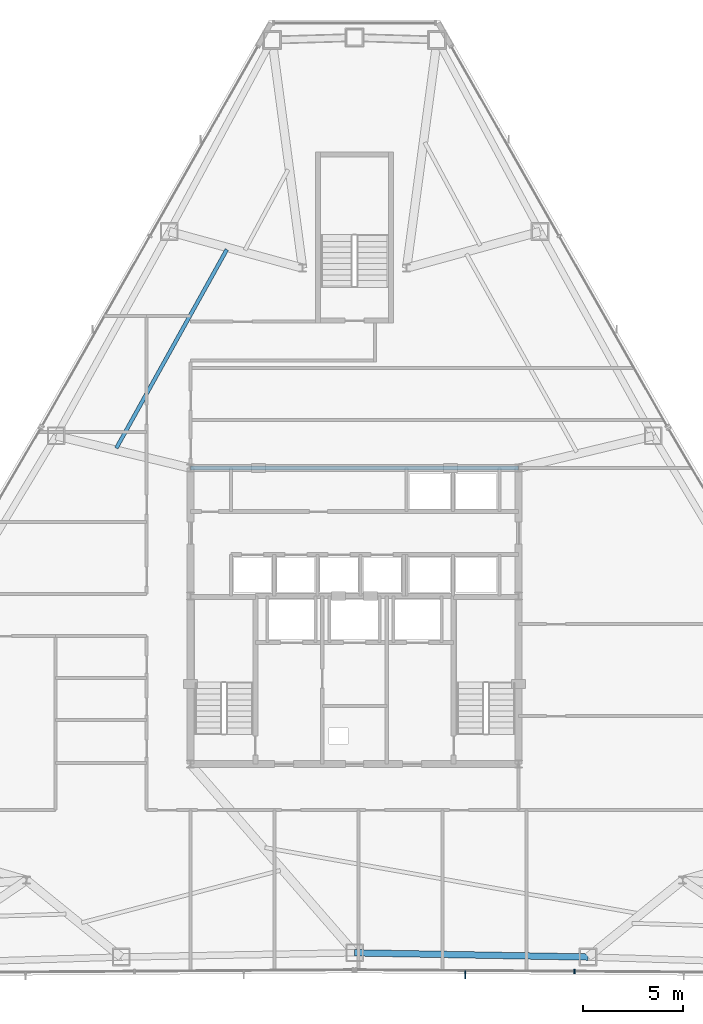
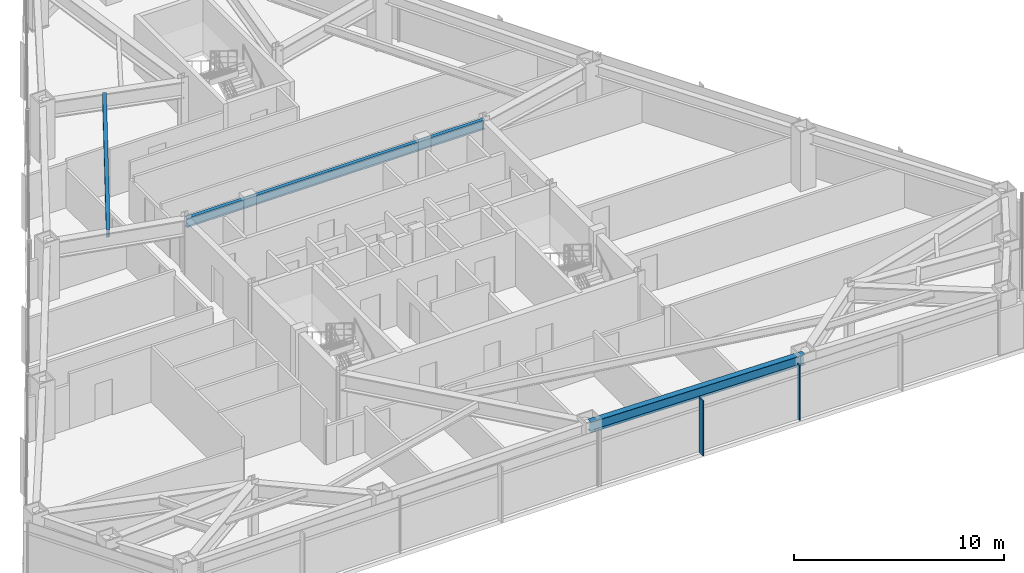
# One storey, part 5 of 13: 3 beams, 2 members, 1 element without a shape of its own.
"""IFC4 building model written with IfcOpenShell, lengths in metres."""

from ifc_helpers import new_model, si_unit, direction, frame, origin, origin_2d, place, context, subcontext, project, spatial, rectangle, i_section, extrude, source, transform, mapped, material, layer, layer_set, material_profile, profile_set, type_object, type_shapes, element, aggregate, save


model = new_model("IFC4")

# Units and contexts
model_context = context("Model", 3, precision=1e-05, world=origin(), true_north=direction((0.0, 1.0)))
body_context = subcontext(model_context, "Body", "Model", "MODEL_VIEW")
ifc_project = project(units=[si_unit("LENGTHUNIT", "METRE"), si_unit("AREAUNIT", "SQUARE_METRE"), si_unit("VOLUMEUNIT", "CUBIC_METRE"), si_unit("PLANEANGLEUNIT", "RADIAN"), si_unit("MASSUNIT", "GRAM", prefix="KILO")], contexts=[model_context])

# Site, building, storey
site_placement = place(None, origin())
site = spatial("IfcSite", under=ifc_project, at=site_placement, CompositionType="ELEMENT")
building_placement = place(site_placement, origin())
building = spatial("IfcBuilding", under=site, at=building_placement, Name="Varakhsha Concourse Tower", CompositionType="ELEMENT")
storey_placement = place(building_placement, frame((0.0, 0.0, 133.25)))
storey = spatial("IfcBuildingStorey", under=building, at=storey_placement, Name="L38", CompositionType="ELEMENT", Elevation=133.25)

# Beams
ifc_material_1 = material(Name="Structural Steel ASTM A992 Grade 50", Category="steel")
ifc_material_profile_1 = material_profile(ifc_material_1, i_section(OverallWidth=0.19091796875, OverallDepth=0.45703125, WebThickness=0.009033203125, FlangeThickness=0.013916015625, at=origin_2d()), Name="W18X50")
ifc_profile_set_1 = profile_set([ifc_material_profile_1], Name="Structural Steel ASTM A992 Grade 50")
beam_type_1 = type_object("IfcBeamType", Name="BM-JST-W18X50", PredefinedType="JOIST", material=ifc_profile_set_1)
beam_1_placement = place(storey_placement, frame((33.611572265625, 42.126708984375, 2.9814453125), z_axis=(-0.486139230304, -0.873881369958, 0.0), x_axis=(0.873881369958, -0.486139230304, 0.0)))
element("IfcBeam", 1, at=beam_1_placement, inside=storey, type_object=beam_type_1, Name="BM-TJST-L38-04", PredefinedType="JOIST", context=body_context, shape_type="SweptSolid", body=[
    extrude(i_section(OverallWidth=0.19091796875, OverallDepth=0.45703125, WebThickness=0.009033203125, FlangeThickness=0.013916015625, at=origin_2d()), origin(), (0.0, 0.0, 1.0), 11.35888671875),
])
ifc_material_profile_2 = material_profile(ifc_material_1, i_section(OverallWidth=0.2109375, OverallDepth=0.5390625, WebThickness=0.011962890625, FlangeThickness=0.01904296875, at=origin_2d()), Name="W21X73")
ifc_profile_set_2 = profile_set([ifc_material_profile_2], Name="Structural Steel ASTM A992 Grade 50")
beam_type_2 = type_object("IfcBeamType", Name="BM-RAD-W21X73", PredefinedType="BEAM", material=ifc_profile_set_2)
beam_2_placement = place(storey_placement, frame((31.800048828125, 31.199951171875, 2.9404296875), z_axis=(1.0, 0.0, 0.0), x_axis=(0.0, 1.0, 0.0)))
element("IfcBeam", 2, at=beam_2_placement, inside=storey, type_object=beam_type_2, Name="BM-TCORE-L38-CN", PredefinedType="BEAM", context=body_context, shape_type="SweptSolid", body=[
    extrude(i_section(OverallWidth=0.2109375, OverallDepth=0.5390625, WebThickness=0.011962890625, FlangeThickness=0.01904296875, at=origin_2d()), origin(), (0.0, 0.0, 1.0), 16.39990234375),
])
ifc_material_profile_3 = material_profile(ifc_material_1, i_section(OverallWidth=0.323974609375, OverallDepth=0.611083984375, WebThickness=0.012939453125, FlangeThickness=0.01904296875, at=origin_2d()), Name="W24X104")
ifc_profile_set_3 = profile_set([ifc_material_profile_3], Name="Structural Steel ASTM A992 Grade 50")
beam_type_3 = type_object("IfcBeamType", Name="BM-SPAN-W24X104", PredefinedType="SPANDREL", material=ifc_profile_set_3)
beam_3_placement = place(storey_placement, frame((40.0, 6.97021484375, 2.904541015625), z_axis=(0.99983628966, -0.018094028841, 0.0), x_axis=(0.018094028841, 0.99983628966, 0.0)))
element("IfcBeam", 3, at=beam_3_placement, inside=storey, type_object=beam_type_3, Name="BM-SPAN-L38-11", PredefinedType="SPANDREL", context=body_context, shape_type="SweptSolid", body=[
    extrude(i_section(OverallWidth=0.323974609375, OverallDepth=0.611083984375, WebThickness=0.012939453125, FlangeThickness=0.01904296875, at=origin_2d()), origin(), (0.0, 0.0, 1.0), 11.67138671875),
])

# Curtain wall, members
ifc_material_2 = material(Name="Anodised Bronze Architectural Aluminium AA 6063-T6", Category="aluminium")
ifc_layer = layer(ifc_material_2, 0.2099609375, Name="CW-SYS-04")
ifc_layer_set = layer_set([ifc_layer], Name="Anodised Bronze Architectural Aluminium AA 6063-T6")
curtain_wall_type = type_object("IfcCurtainWallType", Name="CW-SYS-04", PredefinedType="NOTDEFINED", material=ifc_layer_set)
curtain_wall_placement = place(storey_placement, origin())
curtain_wall = element("IfcCurtainWall", 4, at=curtain_wall_placement, inside=storey, type_object=curtain_wall_type, Name="L38 Crystal Curtain Wall F6", PredefinedType="NOTDEFINED")
ifc_material_profile_4 = material_profile(ifc_material_2, rectangle(XDim=0.074951171875, YDim=0.219970703125, at=origin_2d()), Name="CWM-220X75")
ifc_profile_set_4 = profile_set([ifc_material_profile_4], Name="Anodised Bronze Architectural Aluminium AA 6063-T6")
member_type_1 = type_object("IfcMemberType", Name="CWM-220X75", PredefinedType="MULLION", material=ifc_profile_set_4)
shared_shape_1 = source(origin(), body_context, "Body", "SweptSolid", [
    extrude(rectangle(XDim=0.074951171875, YDim=0.219970703125, at=origin_2d()), origin(), (0.0, 0.0, 1.0), 3.2099609375),
])
type_shapes(member_type_1, [shared_shape_1])
member_1_placement = place(storey_placement, frame((50.994384765625, 6.043701171875, 0.0), z_axis=(0.0, 0.0, 1.0), x_axis=(-0.999976976275, 0.006785788053, 0.0)))
member_1 = element("IfcMember", 5, at=member_1_placement, type_object=member_type_1, Name="CW-L38-F6 Mullion 01", PredefinedType="MULLION", context=body_context, shape_type="MappedRepresentation", body=[
    mapped(shared_shape_1, transform((0.0, 0.0, 0.0), scale=1.0)),
])
ifc_material_profile_5 = material_profile(ifc_material_2, rectangle(XDim=0.06005859375, YDim=0.3798828125, at=origin_2d()), Name="FIN-BRZ-380")
ifc_profile_set_5 = profile_set([ifc_material_profile_5], Name="Anodised Bronze Architectural Aluminium AA 6063-T6")
member_type_2 = type_object("IfcMemberType", Name="FIN-BRZ-380", PredefinedType="USERDEFINED", material=ifc_profile_set_5)
shared_shape_2 = source(origin(), body_context, "Body", "SweptSolid", [
    extrude(rectangle(XDim=0.06005859375, YDim=0.3798828125, at=origin_2d()), origin(), (0.0, 0.0, 1.0), 3.2099609375),
])
type_shapes(member_type_2, [shared_shape_2])
member_2_placement = place(storey_placement, frame((45.536376953125, 5.875732421875, 0.0), z_axis=(0.0, 0.0, 1.0), x_axis=(1.0, 0.0, 0.0)))
member_2 = element("IfcMember", 6, at=member_2_placement, type_object=member_type_2, Name="L38 Anodised Bronze Solar Fin F6-2", ObjectType="SOLAR FIN", PredefinedType="USERDEFINED", context=body_context, shape_type="MappedRepresentation", body=[
    mapped(shared_shape_2, transform((0.0, 0.0, 0.0), scale=1.0)),
])
aggregate(curtain_wall, [member_1, member_2])

save(model, "model.ifc")
